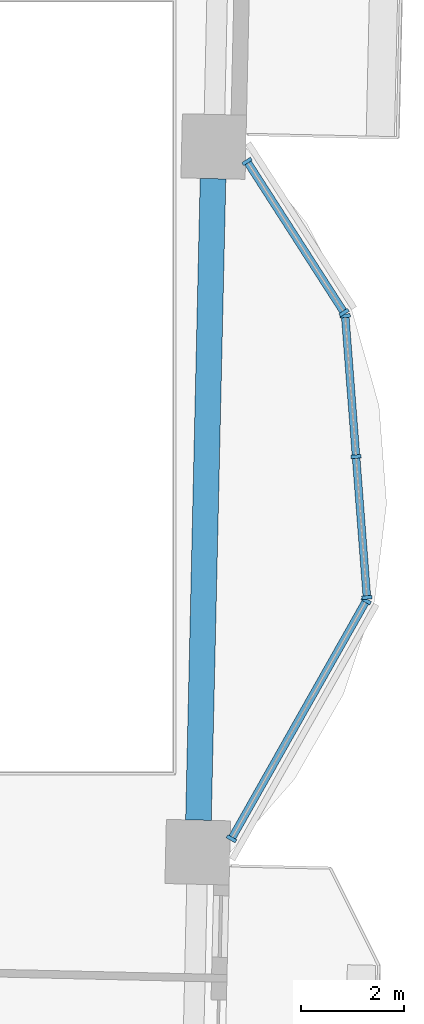
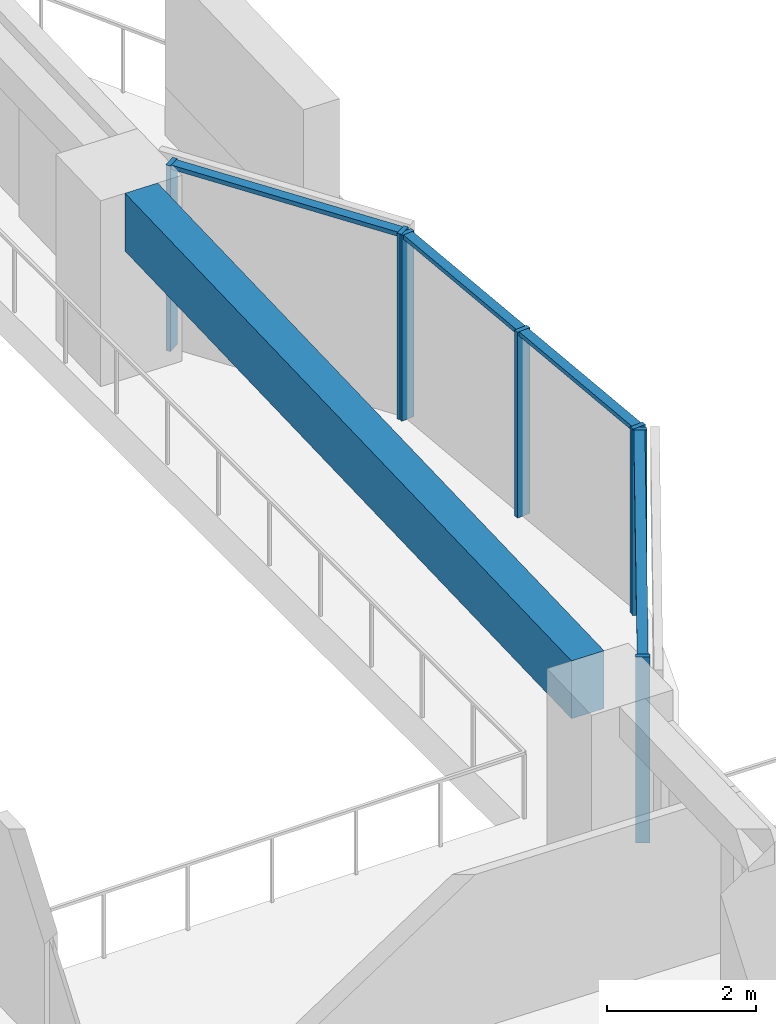
# One storey, part 2 of 14: 11 members, 1 beam, 3 elements without a shape of their own.
"""IFC4 building model written with IfcOpenShell, lengths in metres."""

from ifc_helpers import new_model, si_unit, direction, frame, origin, origin_2d, place, context, subcontext, project, spatial, rectangle, extrude, material, material_profile, profile_set, type_object, element, aggregate, save


model = new_model("IFC4")

# Units and contexts
model_context = context("Model", 3, precision=1e-05, world=origin(), true_north=direction((0.0, 1.0)))
body_context = subcontext(model_context, "Body", "Model", "MODEL_VIEW")
ifc_project = project(units=[si_unit("LENGTHUNIT", "METRE"), si_unit("AREAUNIT", "SQUARE_METRE"), si_unit("VOLUMEUNIT", "CUBIC_METRE"), si_unit("PLANEANGLEUNIT", "RADIAN"), si_unit("MASSUNIT", "GRAM", prefix="KILO")], contexts=[model_context])

# Site, building, storey
site_placement = place(None, origin())
site = spatial("IfcSite", under=ifc_project, at=site_placement, CompositionType="ELEMENT")
building_placement = place(site_placement, origin())
building = spatial("IfcBuilding", under=site, at=building_placement, Name="Mangrove Gate Tower", CompositionType="ELEMENT")
storey_placement = place(building_placement, frame((0.0, 0.0, 159.89990234375)))
storey = spatial("IfcBuildingStorey", under=building, at=storey_placement, Name="L40", CompositionType="ELEMENT", Elevation=159.89990234375)

# Curtain wall, members
ifc_material_1 = material(Name="Aluminium and glass curtain wall", Category="aluminium")
curtain_wall_type = type_object("IfcCurtainWallType", Name="Atrium garden-court glazing wall", PredefinedType="NOTDEFINED", material=ifc_material_1)
curtain_wall_1_placement = place(storey_placement, origin())
curtain_wall_1 = element("IfcCurtainWall", 1, at=curtain_wall_1_placement, inside=storey, type_object=curtain_wall_type, Name="Atrium garden-court glazing E1f1", PredefinedType="NOTDEFINED")
ifc_material_2 = material(Name="Aluminium alloy 6063-T6", Category="aluminium")
ifc_material_profile_1 = material_profile(ifc_material_2, rectangle(XDim=0.070068359375, YDim=0.199951171875, at=origin_2d()))
ifc_profile_set_1 = profile_set([ifc_material_profile_1], Name="Aluminium alloy 6063-T6")
member_type_1 = type_object("IfcMemberType", Name="Atrium garden-court glazing mullion 70x200", PredefinedType="MULLION", material=ifc_profile_set_1)
member_1_placement = place(storey_placement, frame((26.11083984375, -8.806884765625, 0.0), z_axis=(0.0, 0.0, 1.0), x_axis=(0.492564461279, 0.870275962833, 0.0)))
member_1 = element("IfcMember", 2, at=member_1_placement, type_object=member_type_1, Name="CWA mullion 1", PredefinedType="MULLION", context=body_context, shape_type="SweptSolid", body=[
    extrude(rectangle(XDim=0.070068359375, YDim=0.199951171875, at=origin_2d()), origin(), (0.0, 0.0, 1.0), 3.050048828125),
])
member_2_placement = place(storey_placement, frame((28.73486328125, -4.17041015625, 0.0), z_axis=(0.0, 0.0, 1.0), x_axis=(0.492564461279, 0.870275962833, 0.0)))
member_2 = element("IfcMember", 3, at=member_2_placement, type_object=member_type_1, Name="CWA mullion 2", PredefinedType="MULLION", context=body_context, shape_type="SweptSolid", body=[
    extrude(rectangle(XDim=0.070068359375, YDim=0.199951171875, at=origin_2d()), origin(), (0.0, 0.0, 1.0), 3.050048828125),
])

curtain_wall_2_placement = place(storey_placement, origin())
curtain_wall_2 = element("IfcCurtainWall", 4, at=curtain_wall_2_placement, inside=storey, type_object=curtain_wall_type, Name="Atrium garden-court glazing E1f2", PredefinedType="NOTDEFINED")
member_3_placement = place(storey_placement, frame((28.74951171875, -4.105224609375, 0.0), z_axis=(0.0, 0.0, 1.0), x_axis=(-0.077023348403, 0.997029289339, 0.0)))
member_3 = element("IfcMember", 5, at=member_3_placement, type_object=member_type_1, Name="CWA mullion 1", PredefinedType="MULLION", context=body_context, shape_type="SweptSolid", body=[
    extrude(rectangle(XDim=0.070068359375, YDim=0.199951171875, at=origin_2d()), origin(), (0.0, 0.0, 1.0), 3.050048828125),
])
member_4_placement = place(storey_placement, frame((28.53759765625, -1.361572265625, 0.0), z_axis=(0.0, 0.0, 1.0), x_axis=(-0.077023348403, 0.997029289339, 0.0)))
member_4 = element("IfcMember", 6, at=member_4_placement, type_object=member_type_1, Name="CWA mullion 2", PredefinedType="MULLION", context=body_context, shape_type="SweptSolid", body=[
    extrude(rectangle(XDim=0.070068359375, YDim=0.199951171875, at=origin_2d()), origin(), (0.0, 0.0, 1.0), 3.050048828125),
])
member_5_placement = place(storey_placement, frame((28.32568359375, 1.382080078125, 0.0), z_axis=(0.0, 0.0, 1.0), x_axis=(-0.077023348403, 0.997029289339, 0.0)))
member_5 = element("IfcMember", 7, at=member_5_placement, type_object=member_type_1, Name="CWA mullion 3", PredefinedType="MULLION", context=body_context, shape_type="SweptSolid", body=[
    extrude(rectangle(XDim=0.070068359375, YDim=0.199951171875, at=origin_2d()), origin(), (0.0, 0.0, 1.0), 3.050048828125),
])

curtain_wall_3_placement = place(storey_placement, origin())
curtain_wall_3 = element("IfcCurtainWall", 8, at=curtain_wall_3_placement, inside=storey, type_object=curtain_wall_type, Name="Atrium garden-court glazing E1f3", PredefinedType="NOTDEFINED")
member_6_placement = place(storey_placement, frame((28.303955078125, 1.4462890625, 0.0), z_axis=(0.0, 0.0, 1.0), x_axis=(-0.540496322894, 0.841346376315, 0.0)))
member_6 = element("IfcMember", 9, at=member_6_placement, type_object=member_type_1, Name="CWA mullion 1", PredefinedType="MULLION", context=body_context, shape_type="SweptSolid", body=[
    extrude(rectangle(XDim=0.070068359375, YDim=0.199951171875, at=origin_2d()), origin(), (0.0, 0.0, 1.0), 3.050048828125),
])
member_7_placement = place(storey_placement, frame((26.413330078125, 4.389404296875, 0.0), z_axis=(0.0, 0.0, 1.0), x_axis=(-0.540496322894, 0.841346376315, 0.0)))
member_7 = element("IfcMember", 10, at=member_7_placement, type_object=member_type_1, Name="CWA mullion 2", PredefinedType="MULLION", context=body_context, shape_type="SweptSolid", body=[
    extrude(rectangle(XDim=0.070068359375, YDim=0.199951171875, at=origin_2d()), origin(), (0.0, 0.0, 1.0), 3.050048828125),
])

# Member
ifc_material_3 = material(Name="Aluminium alloy 6063-T6", Category="aluminium")
ifc_material_profile_2 = material_profile(ifc_material_3, rectangle(XDim=0.070068359375, YDim=0.14990234375, at=origin_2d()))
ifc_profile_set_2 = profile_set([ifc_material_profile_2], Name="Aluminium alloy 6063-T6")
member_type_2 = type_object("IfcMemberType", Name="Atrium garden-court glazing transom 70x150", PredefinedType="USERDEFINED", material=ifc_profile_set_2)
member_8_placement = place(storey_placement, frame((26.128173828125, -8.7763671875, 3.01513671875), z_axis=(0.4925590689, 0.870279014825, 0.0), x_axis=(0.0, 0.0, 1.0)))
member_8 = element("IfcMember", 11, at=member_8_placement, type_object=member_type_2, Name="CWA transom 1.2", ObjectType="TRANSOM", PredefinedType="USERDEFINED", context=body_context, shape_type="SweptSolid", body=[
    extrude(rectangle(XDim=0.070068359375, YDim=0.14990234375, at=origin_2d()), origin(), (0.0, 0.0, 1.0), 5.25732421875),
])

aggregate(curtain_wall_1, [member_1, member_2, member_8])

member_9_placement = place(storey_placement, frame((28.746826171875, -4.0703125, 3.01513671875), z_axis=(-0.07701672858, 0.997029800718, 0.0), x_axis=(0.0, 0.0, 1.0)))
member_9 = element("IfcMember", 12, at=member_9_placement, type_object=member_type_2, Name="CWA transom 1.2", ObjectType="TRANSOM", PredefinedType="USERDEFINED", context=body_context, shape_type="SweptSolid", body=[
    extrude(rectangle(XDim=0.070068359375, YDim=0.14990234375, at=origin_2d()), origin(), (0.0, 0.0, 1.0), 2.681884765625),
])

member_10_placement = place(storey_placement, frame((28.534912109375, -1.32666015625, 3.01513671875), z_axis=(-0.07701672858, 0.997029800718, 0.0), x_axis=(0.0, 0.0, 1.0)))
member_10 = element("IfcMember", 13, at=member_10_placement, type_object=member_type_2, Name="CWA transom 2.2", ObjectType="TRANSOM", PredefinedType="USERDEFINED", context=body_context, shape_type="SweptSolid", body=[
    extrude(rectangle(XDim=0.070068359375, YDim=0.14990234375, at=origin_2d()), origin(), (0.0, 0.0, 1.0), 2.681884765625),
])

aggregate(curtain_wall_2, [member_3, member_4, member_5, member_9, member_10])

member_11_placement = place(storey_placement, frame((28.28515625, 1.475830078125, 3.01513671875), z_axis=(-0.540501990771, 0.84134273514, 0.0), x_axis=(0.0, 0.0, 1.0)))
member_11 = element("IfcMember", 14, at=member_11_placement, type_object=member_type_2, Name="CWA transom 1.2", ObjectType="TRANSOM", PredefinedType="USERDEFINED", context=body_context, shape_type="SweptSolid", body=[
    extrude(rectangle(XDim=0.070068359375, YDim=0.14990234375, at=origin_2d()), origin(), (0.0, 0.0, 1.0), 3.427978515625),
])

aggregate(curtain_wall_3, [member_6, member_7, member_11])

# Beam
ifc_material_4 = material(Name="Concrete C50/60", Category="concrete")
ifc_material_profile_3 = material_profile(ifc_material_4, rectangle(XDim=0.5, YDim=0.949951171875, at=origin_2d()))
ifc_profile_set_3 = profile_set([ifc_material_profile_3], Name="Concrete C50/60")
beam_type = type_object("IfcBeamType", Name="Edge beam RC 500x950 C50/60", PredefinedType="BEAM", material=ifc_profile_set_3)
beam_placement = place(storey_placement, frame((25.46728515625, -8.44384765625, 2.5751953125), z_axis=(0.022693013796, 0.999742480404, 0.0), x_axis=(-0.999742480404, 0.022693013796, 0.0)))
element("IfcBeam", 15, at=beam_placement, inside=storey, type_object=beam_type, Name="Edge beam L40 14", PredefinedType="BEAM", context=body_context, shape_type="SweptSolid", body=[
    extrude(rectangle(XDim=0.5, YDim=0.949951171875, at=origin_2d()), origin(), (0.0, 0.0, 1.0), 12.501220703125),
])

save(model, "model.ifc")
